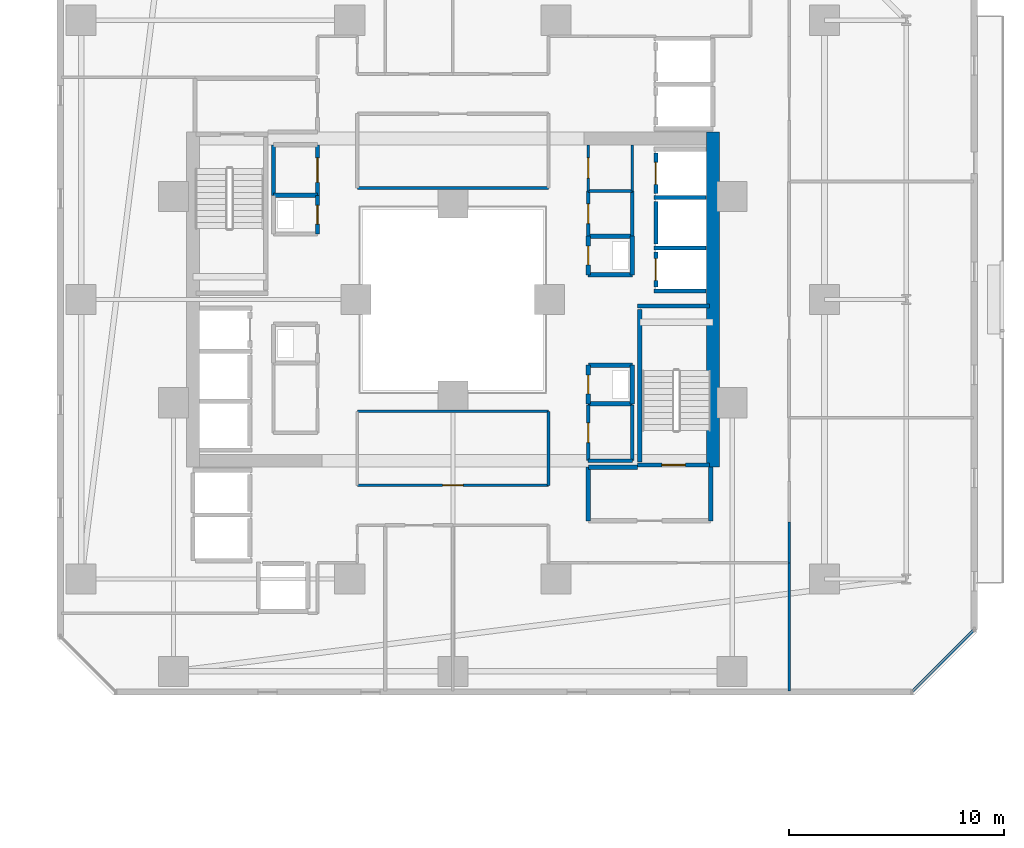
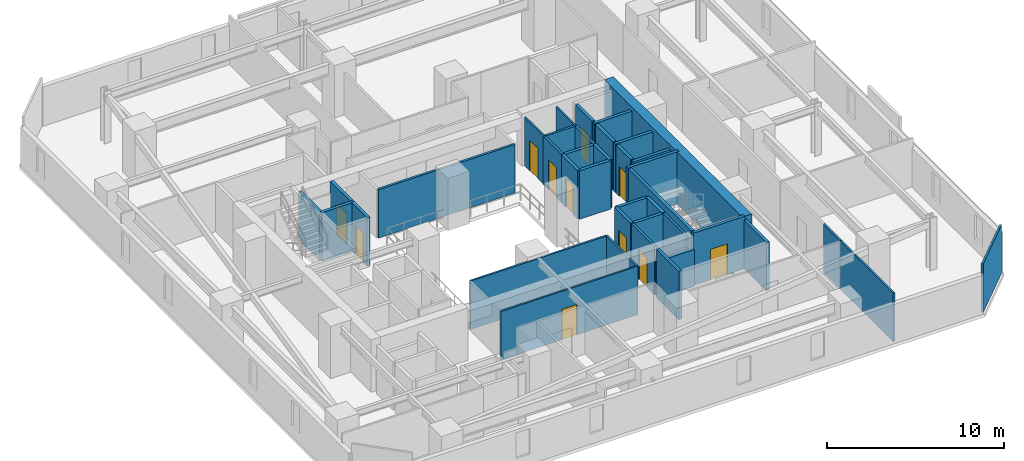
# One storey, part 26 of 35: 40 walls, 11 doors, 11 openings.
"""IFC4 building model written with IfcOpenShell, lengths in metres."""

from ifc_helpers import new_model, si_unit, direction, frame, frame_2d, origin, place, context, subcontext, project, spatial, rectangle, extrude, material, layer, layer_set, type_object, element, fill, save


model = new_model("IFC4")

# Units and contexts
model_context = context("Model", 3, precision=1e-05, world=origin(), true_north=direction((0.0, 1.0)))
body_context = subcontext(model_context, "Body", "Model", "MODEL_VIEW")
ifc_project = project(units=[si_unit("LENGTHUNIT", "METRE"), si_unit("AREAUNIT", "SQUARE_METRE"), si_unit("VOLUMEUNIT", "CUBIC_METRE"), si_unit("PLANEANGLEUNIT", "RADIAN"), si_unit("MASSUNIT", "GRAM", prefix="KILO")], contexts=[model_context])

# Site, building, storey
site_placement = place(None, origin())
site = spatial("IfcSite", under=ifc_project, at=site_placement, CompositionType="ELEMENT")
building_placement = place(site_placement, origin())
building = spatial("IfcBuilding", under=site, at=building_placement, Name="Thornwick Lancets Civic Towers", CompositionType="ELEMENT")
storey_placement = place(building_placement, frame((0.0, 0.0, 64.5)))
storey = spatial("IfcBuildingStorey", under=building, at=storey_placement, Name="L16", CompositionType="ELEMENT", Elevation=64.5)

# Wall, opening, door
ifc_material_1 = material(Name="Concrete blockwork C40/50", Category="masonry")
ifc_layer_1 = layer(ifc_material_1, 0.199951171875, Name="Concrete blockwork C40/50")
ifc_layer_set_1 = layer_set([ifc_layer_1], Name="Concrete blockwork C40/50")
wall_type_1 = type_object("IfcWallType", Name="WALL_COMP_200", PredefinedType="STANDARD", material=ifc_layer_set_1)
wall_1_placement = place(storey_placement, frame((97.949951171875, 29.219970703125, 0.0), z_axis=(0.0, 0.0, 1.0), x_axis=(0.0, -1.0, 0.0)))
wall_1 = element("IfcWall", 1, at=wall_1_placement, inside=storey, type_object=wall_type_1, Name="L16 Hoistway Front Wall FL-B1", PredefinedType="STANDARD", context=body_context, shape_type="SweptSolid", body=[
    extrude(rectangle(XDim=1.639892578125, YDim=0.199951171875, at=frame_2d((0.81982421875, 0.0))), origin(), (0.0, 0.0, 1.0), 3.340087890625),
])
opening_1_placement = place(wall_1_placement, frame((0.31005859375, 0.0, 0.0)))
opening_1 = element("IfcOpeningElement", 2, at=opening_1_placement, cuts=wall_1, Name="Opening LD-FL-B1", PredefinedType="OPENING", context=body_context, shape_type="SweptSolid", body=[
    extrude(rectangle(XDim=1.02001953125, YDim=2.06005859375, at=frame_2d((0.510009765625, 1.030029296875))), frame((0.0, 0.10986328125, 0.0), z_axis=(0.0, -1.0, 0.0), x_axis=(1.0, 0.0, 0.0)), (0.0, 0.0, 1.0), 0.219970703125),
])
ifc_material_2 = material(Name="Brushed bronze stainless steel", Category="steel")
door_type_1 = type_object("IfcDoorType", Name="DOOR_LIFT_SLIDE", OperationType="SLIDING_TO_LEFT", PredefinedType="DOOR", material=ifc_material_2)
door_1_placement = place(opening_1_placement, origin())
door_1 = element("IfcDoor", 3, at=door_1_placement, inside=storey, type_object=door_type_1, Name="L16 Sliding Lift Landing Door LD-FL-B1", OperationType="SLIDING_TO_LEFT", OverallHeight=2.06005859375, OverallWidth=1.02001953125, PredefinedType="DOOR", context=body_context, shape_type="SweptSolid", body=[
    extrude(rectangle(XDim=1.02001953125, YDim=2.06005859375, at=frame_2d((0.510009765625, 1.030029296875))), frame((0.0, 0.02490234375, 0.0), z_axis=(0.0, -1.0, 0.0), x_axis=(1.0, 0.0, 0.0)), (0.0, 0.0, 1.0), 0.050048828125),
])
fill(opening_1, door_1)

# Wall
wall_2_placement = place(storey_placement, frame((97.949951171875, 31.570068359375, 0.0), z_axis=(0.0, 0.0, 1.0), x_axis=(0.0, -1.0, 0.0)))
element("IfcWall", 4, at=wall_2_placement, inside=storey, type_object=wall_type_1, Name="L16 Hoistway Front Wall PL-BH1", PredefinedType="STANDARD", context=body_context, shape_type="SweptSolid", body=[
    extrude(rectangle(XDim=1.989990234375, YDim=0.199951171875, at=frame_2d((0.9951171875, 0.0))), origin(), (0.0, 0.0, 1.0), 3.340087890625),
])

# Wall, opening, door
wall_3_placement = place(storey_placement, frame((97.949951171875, 33.820068359375, 0.0), z_axis=(0.0, 0.0, 1.0), x_axis=(0.0, -1.0, 0.0)))
wall_3 = element("IfcWall", 5, at=wall_3_placement, inside=storey, type_object=wall_type_1, Name="L16 Hoistway Front Wall PL-BL1", PredefinedType="STANDARD", context=body_context, shape_type="SweptSolid", body=[
    extrude(rectangle(XDim=1.89013671875, YDim=0.199951171875, at=frame_2d((0.945068359375, 0.0))), origin(), (0.0, 0.0, 1.0), 3.340087890625),
])
opening_2_placement = place(wall_3_placement, frame((0.43505859375, 0.0, 0.0)))
opening_2 = element("IfcOpeningElement", 6, at=opening_2_placement, cuts=wall_3, Name="Opening LD-PL-BL1", PredefinedType="OPENING", context=body_context, shape_type="SweptSolid", body=[
    extrude(rectangle(XDim=1.02001953125, YDim=2.06005859375, at=frame_2d((0.510009765625, 1.030029296875))), frame((0.0, 0.10986328125, 0.0), z_axis=(0.0, -1.0, 0.0), x_axis=(1.0, 0.0, 0.0)), (0.0, 0.0, 1.0), 0.219970703125),
])
door_2_placement = place(opening_2_placement, origin())
door_2 = element("IfcDoor", 7, at=door_2_placement, inside=storey, type_object=door_type_1, Name="L16 Sliding Lift Landing Door LD-PL-BL1", OperationType="SLIDING_TO_LEFT", OverallHeight=2.06005859375, OverallWidth=1.02001953125, PredefinedType="DOOR", context=body_context, shape_type="SweptSolid", body=[
    extrude(rectangle(XDim=1.02001953125, YDim=2.06005859375, at=frame_2d((0.510009765625, 1.030029296875))), frame((0.0, 0.02490234375, 0.0), z_axis=(0.0, -1.0, 0.0), x_axis=(1.0, 0.0, 0.0)), (0.0, 0.0, 1.0), 0.050048828125),
])
fill(opening_2, door_2)

# Walls
for number, where, z_axis, x_axis, name in (
    (8, (97.85205078125, 29.39990234375, 0.0), (0.0, 0.0, 1.0), (1.0, 0.0, 0.0), "L16 Hoistway Shaft Wall FL-B1 N"),
    (9, (97.85205078125, 27.39990234375, 0.0), (0.0, 0.0, 1.0), (1.0, 0.0, 0.0), "L16 Hoistway Shaft Wall FL-B1 S"),
    (10, (97.85205078125, 31.75, 0.0), (0.0, 0.0, 1.0), (1.0, 0.0, 0.0), "L16 Hoistway Shaft Wall PL-BH1 N"),
):
    element("IfcWall", number, at=place(storey_placement, frame(where, z_axis=z_axis, x_axis=x_axis)), inside=storey, type_object=wall_type_1, Name=name, PredefinedType="STANDARD", context=body_context, shape_type="SweptSolid", body=[
        extrude(rectangle(XDim=2.43603515625, YDim=0.199951171875, at=frame_2d((1.218017578125, 0.0))), origin(), (0.0, 0.0, 1.0), 3.340087890625),
    ])
wall_4_placement = place(storey_placement, frame((100.5, 16.699951171875, 0.0), z_axis=(0.0, 0.0, 1.0), x_axis=(0.0, 1.0, 0.0)))
element("IfcWall", 11, at=wall_4_placement, inside=storey, type_object=wall_type_1, Name="L16 Partition L16-B-FFLOB1 E2", PredefinedType="STANDARD", context=body_context, shape_type="SweptSolid", body=[
    extrude(rectangle(XDim=2.5, YDim=0.199951171875, at=frame_2d((1.25, 0.0))), origin(), (0.0, 0.0, 1.0), 3.340087890625),
])
wall_5_placement = place(storey_placement, frame((97.10009765625, 19.199951171875, 0.0), z_axis=(0.0, 0.0, 1.0), x_axis=(-1.0, 0.0, 0.0)))
element("IfcWall", 12, at=wall_5_placement, inside=storey, type_object=wall_type_1, Name="L16 Partition L16-B-FFLOB1 E3", PredefinedType="STANDARD", context=body_context, shape_type="SweptSolid", body=[
    extrude(rectangle(XDim=2.300048828125, YDim=0.199951171875, at=frame_2d((1.14990234375, 0.0))), origin(), (0.0, 0.0, 1.0), 2.544921875),
])
wall_6_placement = place(storey_placement, frame((94.800048828125, 19.199951171875, 0.0), z_axis=(0.0, 0.0, 1.0), x_axis=(0.0, -1.0, 0.0)))
element("IfcWall", 13, at=wall_6_placement, inside=storey, type_object=wall_type_1, Name="L16 Partition L16-B-FFLOB1 E4", PredefinedType="STANDARD", context=body_context, shape_type="SweptSolid", body=[
    extrude(rectangle(XDim=2.5, YDim=0.199951171875, at=frame_2d((1.25, 0.0))), origin(), (0.0, 0.0, 1.0), 3.340087890625),
])
wall_7_placement = place(storey_placement, frame((94.800048828125, 28.14990234375, 0.0), z_axis=(0.0, 0.0, 1.0), x_axis=(1.0, 0.0, 0.0)))
element("IfcWall", 14, at=wall_7_placement, inside=storey, type_object=wall_type_1, Name="L16 Partition L16-B-DUCT1 E1", PredefinedType="STANDARD", context=body_context, shape_type="SweptSolid", body=[
    extrude(rectangle(XDim=2.050048828125, YDim=0.199951171875, at=frame_2d((1.02490234375, 0.0))), origin(), (0.0, 0.0, 1.0), 3.340087890625),
])
wall_8_placement = place(storey_placement, frame((96.85009765625, 28.14990234375, 0.0), z_axis=(0.0, 0.0, 1.0), x_axis=(0.0, 1.0, 0.0)))
element("IfcWall", 15, at=wall_8_placement, inside=storey, type_object=wall_type_1, Name="L16 Partition L16-B-DUCT1 E2", PredefinedType="STANDARD", context=body_context, shape_type="SweptSolid", body=[
    extrude(rectangle(XDim=1.800048828125, YDim=0.199951171875, at=frame_2d((0.89990234375, 0.0))), origin(), (0.0, 0.0, 1.0), 3.340087890625),
])
wall_9_placement = place(storey_placement, frame((96.85009765625, 29.949951171875, 0.0), z_axis=(0.0, 0.0, 1.0), x_axis=(-1.0, 0.0, 0.0)))
element("IfcWall", 16, at=wall_9_placement, inside=storey, type_object=wall_type_1, Name="L16 Partition L16-B-DUCT1 E3", PredefinedType="STANDARD", context=body_context, shape_type="SweptSolid", body=[
    extrude(rectangle(XDim=2.050048828125, YDim=0.199951171875, at=frame_2d((1.02490234375, 0.0))), origin(), (0.0, 0.0, 1.0), 3.340087890625),
])

# Wall, opening, door
wall_10_placement = place(storey_placement, frame((94.800048828125, 29.949951171875, 0.0), z_axis=(0.0, 0.0, 1.0), x_axis=(0.0, -1.0, 0.0)))
wall_10 = element("IfcWall", 17, at=wall_10_placement, inside=storey, type_object=wall_type_1, Name="L16 Partition L16-B-DUCT1 E4", PredefinedType="STANDARD", context=body_context, shape_type="SweptSolid", body=[
    extrude(rectangle(XDim=1.800048828125, YDim=0.199951171875, at=frame_2d((0.89990234375, 0.0))), origin(), (0.0, 0.0, 1.0), 3.340087890625),
])
opening_3_placement = place(wall_10_placement, frame((0.4599609375, 0.0, 0.0)))
opening_3 = element("IfcOpeningElement", 18, at=opening_3_placement, cuts=wall_10, Name="Opening D-L16-0766", PredefinedType="OPENING", context=body_context, shape_type="SweptSolid", body=[
    extrude(rectangle(XDim=0.8798828125, YDim=2.0400390625, at=frame_2d((0.43994140625, 1.02001953125))), frame((0.0, 0.10986328125, 0.0), z_axis=(0.0, -1.0, 0.0), x_axis=(1.0, 0.0, 0.0)), (0.0, 0.0, 1.0), 0.219970703125),
])
ifc_material_3 = material(Name="Steel riser access doorset", Category="steel")
door_type_2 = type_object("IfcDoorType", Name="DOOR_RISER_850", OperationType="NOTDEFINED", PredefinedType="DOOR", material=ifc_material_3)
door_3_placement = place(opening_3_placement, origin())
door_3 = element("IfcDoor", 19, at=door_3_placement, inside=storey, type_object=door_type_2, Name="L16 East Service Duct 1 Door", OperationType="SINGLE_SWING_LEFT", OverallHeight=2.0400390625, OverallWidth=0.8798828125, PredefinedType="DOOR", context=body_context, shape_type="SweptSolid", body=[
    extrude(rectangle(XDim=0.8798828125, YDim=2.0400390625, at=frame_2d((0.43994140625, 1.02001953125))), frame((0.0, 0.02490234375, 0.0), z_axis=(0.0, -1.0, 0.0), x_axis=(1.0, 0.0, 0.0)), (0.0, 0.0, 1.0), 0.050048828125),
])
fill(opening_3, door_3)

# Walls
wall_11_placement = place(storey_placement, frame((94.800048828125, 22.14990234375, 0.0), z_axis=(0.0, 0.0, 1.0), x_axis=(1.0, 0.0, 0.0)))
element("IfcWall", 20, at=wall_11_placement, inside=storey, type_object=wall_type_1, Name="L16 Partition L16-B-RISER1 E1", PredefinedType="STANDARD", context=body_context, shape_type="SweptSolid", body=[
    extrude(rectangle(XDim=2.050048828125, YDim=0.199951171875, at=frame_2d((1.02490234375, 0.0))), origin(), (0.0, 0.0, 1.0), 3.340087890625),
])
wall_12_placement = place(storey_placement, frame((96.85009765625, 22.14990234375, 0.0), z_axis=(0.0, 0.0, 1.0), x_axis=(0.0, 1.0, 0.0)))
element("IfcWall", 21, at=wall_12_placement, inside=storey, type_object=wall_type_1, Name="L16 Partition L16-B-RISER1 E2", PredefinedType="STANDARD", context=body_context, shape_type="SweptSolid", body=[
    extrude(rectangle(XDim=1.800048828125, YDim=0.199951171875, at=frame_2d((0.89990234375, 0.0))), origin(), (0.0, 0.0, 1.0), 3.340087890625),
])
wall_13_placement = place(storey_placement, frame((96.85009765625, 23.949951171875, 0.0), z_axis=(0.0, 0.0, 1.0), x_axis=(-1.0, 0.0, 0.0)))
element("IfcWall", 22, at=wall_13_placement, inside=storey, type_object=wall_type_1, Name="L16 Partition L16-B-RISER1 E3", PredefinedType="STANDARD", context=body_context, shape_type="SweptSolid", body=[
    extrude(rectangle(XDim=2.050048828125, YDim=0.199951171875, at=frame_2d((1.02490234375, 0.0))), origin(), (0.0, 0.0, 1.0), 3.340087890625),
])

# Wall, opening, door
wall_14_placement = place(storey_placement, frame((94.800048828125, 23.949951171875, 0.0), z_axis=(0.0, 0.0, 1.0), x_axis=(0.0, -1.0, 0.0)))
wall_14 = element("IfcWall", 23, at=wall_14_placement, inside=storey, type_object=wall_type_1, Name="L16 Partition L16-B-RISER1 E4", PredefinedType="STANDARD", context=body_context, shape_type="SweptSolid", body=[
    extrude(rectangle(XDim=1.800048828125, YDim=0.199951171875, at=frame_2d((0.89990234375, 0.0))), origin(), (0.0, 0.0, 1.0), 3.340087890625),
])
opening_4_placement = place(wall_14_placement, frame((0.4599609375, 0.0, 0.0)))
opening_4 = element("IfcOpeningElement", 24, at=opening_4_placement, cuts=wall_14, Name="Opening D-L16-0767", PredefinedType="OPENING", context=body_context, shape_type="SweptSolid", body=[
    extrude(rectangle(XDim=0.8798828125, YDim=2.0400390625, at=frame_2d((0.43994140625, 1.02001953125))), frame((0.0, 0.10986328125, 0.0), z_axis=(0.0, -1.0, 0.0), x_axis=(1.0, 0.0, 0.0)), (0.0, 0.0, 1.0), 0.219970703125),
])
door_4_placement = place(opening_4_placement, origin())
door_4 = element("IfcDoor", 25, at=door_4_placement, inside=storey, type_object=door_type_2, Name="L16 East Electrical Riser 1 Door", OperationType="SINGLE_SWING_RIGHT", OverallHeight=2.0400390625, OverallWidth=0.8798828125, PredefinedType="DOOR", context=body_context, shape_type="SweptSolid", body=[
    extrude(rectangle(XDim=0.8798828125, YDim=2.0400390625, at=frame_2d((0.43994140625, 1.02001953125))), frame((0.0, 0.02490234375, 0.0), z_axis=(0.0, -1.0, 0.0), x_axis=(1.0, 0.0, 0.0)), (0.0, 0.0, 1.0), 0.050048828125),
])
fill(opening_4, door_4)

wall_15_placement = place(storey_placement, frame((82.199951171875, 30.050048828125, 0.0), z_axis=(0.0, 0.0, 1.0), x_axis=(0.0, 1.0, 0.0)))
wall_15 = element("IfcWall", 26, at=wall_15_placement, inside=storey, type_object=wall_type_1, Name="L16 Partition L16-B-RISER2 E2", PredefinedType="STANDARD", context=body_context, shape_type="SweptSolid", body=[
    extrude(rectangle(XDim=1.800048828125, YDim=0.199951171875, at=frame_2d((0.89990234375, 0.0))), origin(), (0.0, 0.0, 1.0), 3.340087890625),
])
opening_5_placement = place(wall_15_placement, frame((0.4599609375, 0.0, 0.0)))
opening_5 = element("IfcOpeningElement", 27, at=opening_5_placement, cuts=wall_15, Name="Opening D-L16-0769", PredefinedType="OPENING", context=body_context, shape_type="SweptSolid", body=[
    extrude(rectangle(XDim=0.8798828125, YDim=2.0400390625, at=frame_2d((0.43994140625, 1.02001953125))), frame((0.0, 0.10986328125, 0.0), z_axis=(0.0, -1.0, 0.0), x_axis=(1.0, 0.0, 0.0)), (0.0, 0.0, 1.0), 0.219970703125),
])
door_5_placement = place(opening_5_placement, origin())
door_5 = element("IfcDoor", 28, at=door_5_placement, inside=storey, type_object=door_type_2, Name="L16 West Service Riser 2 Door", OperationType="SINGLE_SWING_RIGHT", OverallHeight=2.0400390625, OverallWidth=0.8798828125, PredefinedType="DOOR", context=body_context, shape_type="SweptSolid", body=[
    extrude(rectangle(XDim=0.8798828125, YDim=2.0400390625, at=frame_2d((0.43994140625, 1.02001953125))), frame((0.0, 0.02490234375, 0.0), z_axis=(0.0, -1.0, 0.0), x_axis=(1.0, 0.0, 0.0)), (0.0, 0.0, 1.0), 0.050048828125),
])
fill(opening_5, door_5)

# Walls
wall_16_placement = place(storey_placement, frame((82.199951171875, 31.85009765625, 0.0), z_axis=(0.0, 0.0, 1.0), x_axis=(-1.0, 0.0, 0.0)))
element("IfcWall", 29, at=wall_16_placement, inside=storey, type_object=wall_type_1, Name="L16 Partition L16-B-RISER2 E3", PredefinedType="STANDARD", context=body_context, shape_type="SweptSolid", body=[
    extrude(rectangle(XDim=2.050048828125, YDim=0.199951171875, at=frame_2d((1.02490234375, 0.0))), origin(), (0.0, 0.0, 1.0), 3.340087890625),
])
wall_17_placement = place(storey_placement, frame((80.14990234375, 31.85009765625, 0.0), z_axis=(0.0, 0.0, 1.0), x_axis=(0.0, 1.0, 0.0)))
element("IfcWall", 30, at=wall_17_placement, inside=storey, type_object=wall_type_1, Name="L16 Partition L16-B-STR E1", PredefinedType="STANDARD", context=body_context, shape_type="SweptSolid", body=[
    extrude(rectangle(XDim=2.349853515625, YDim=0.199951171875, at=frame_2d((1.1748046875, 0.0))), origin(), (0.0, 0.0, 1.0), 3.340087890625),
])

# Wall, opening, door
wall_18_placement = place(storey_placement, frame((82.199951171875, 34.199951171875, 0.0), z_axis=(0.0, 0.0, 1.0), x_axis=(0.0, -1.0, 0.0)))
wall_18 = element("IfcWall", 31, at=wall_18_placement, inside=storey, type_object=wall_type_1, Name="L16 Partition L16-B-STR E3", PredefinedType="STANDARD", context=body_context, shape_type="SweptSolid", body=[
    extrude(rectangle(XDim=2.349853515625, YDim=0.199951171875, at=frame_2d((1.1748046875, 0.0))), origin(), (0.0, 0.0, 1.0), 3.340087890625),
])
opening_6_placement = place(wall_18_placement, frame((0.60009765625, 0.0, 0.0)))
opening_6 = element("IfcOpeningElement", 32, at=opening_6_placement, cuts=wall_18, Name="Opening D-L16-0774", PredefinedType="OPENING", context=body_context, shape_type="SweptSolid", body=[
    extrude(rectangle(XDim=1.14990234375, YDim=2.10009765625, at=frame_2d((0.574951171875, 1.050048828125))), frame((0.0, 0.10986328125, 0.0), z_axis=(0.0, -1.0, 0.0), x_axis=(1.0, 0.0, 0.0)), (0.0, 0.0, 1.0), 0.219970703125),
])
ifc_material_4 = material(Name="Glazed fire-resisting steel", Category="steel")
door_type_3 = type_object("IfcDoorType", Name="DOOR_LOBBY_FD60", OperationType="NOTDEFINED", PredefinedType="DOOR", material=ifc_material_4)
door_6_placement = place(opening_6_placement, origin())
door_6 = element("IfcDoor", 33, at=door_6_placement, inside=storey, type_object=door_type_3, Name="L16 Tower B Core Equipment Store Door", OperationType="SINGLE_SWING_LEFT", OverallHeight=2.10009765625, OverallWidth=1.14990234375, PredefinedType="DOOR", context=body_context, shape_type="SweptSolid", body=[
    extrude(rectangle(XDim=1.14990234375, YDim=2.10009765625, at=frame_2d((0.574951171875, 1.050048828125))), frame((0.0, 0.02490234375, 0.0), z_axis=(0.0, -1.0, 0.0), x_axis=(1.0, 0.0, 0.0)), (0.0, 0.0, 1.0), 0.050048828125),
])
fill(opening_6, door_6)

# Wall
ifc_material_5 = material(Name="Concrete C60/75", Category="concrete")
ifc_layer_2 = layer(ifc_material_5, 0.60009765625, Name="Concrete C60/75")
ifc_layer_set_2 = layer_set([ifc_layer_2], Name="Concrete C60/75")
wall_type_2 = type_object("IfcWallType", Name="WALL_CORE_600", PredefinedType="SHEAR", material=ifc_layer_set_2)
wall_19_placement = place(storey_placement, frame((100.60009765625, 19.199951171875, 0.0), z_axis=(0.0, 0.0, 1.0), x_axis=(0.0, 1.0, 0.0)))
element("IfcWall", 34, at=wall_19_placement, inside=storey, type_object=wall_type_2, Name="L16 Split Core B1 Shear Wall E", PredefinedType="SHEAR", context=body_context, shape_type="SweptSolid", body=[
    extrude(rectangle(XDim=15.60009765625, YDim=0.60009765625, at=frame_2d((7.800048828125, 0.0))), origin(), (0.0, 0.0, 1.0), 3.60009765625),
])

# Wall, opening, door
ifc_material_6 = material(Name="Lightweight cellular office partition")
ifc_layer_3 = layer(ifc_material_6, 0.10009765625, Name="Lightweight cellular office partition")
ifc_layer_set_3 = layer_set([ifc_layer_3], Name="Lightweight cellular office partition")
wall_type_3 = type_object("IfcWallType", Name="WALL_PART_100", PredefinedType="PARTITIONING", material=ifc_layer_set_3)
wall_20_placement = place(storey_placement, frame((94.800048828125, 32.050048828125, 0.0), z_axis=(0.0, 0.0, 1.0), x_axis=(0.0, 1.0, 0.0)))
wall_20 = element("IfcWall", 35, at=wall_20_placement, inside=storey, type_object=wall_type_3, Name="L16 Partition L16-B-CLN E1", PredefinedType="PARTITIONING", context=body_context, shape_type="SweptSolid", body=[
    extrude(rectangle(XDim=2.14990234375, YDim=0.10009765625, at=frame_2d((1.074951171875, 0.0))), origin(), (0.0, 0.0, 1.0), 3.340087890625),
])
opening_7_placement = place(wall_20_placement, frame((0.60009765625, 0.0, 0.0)))
opening_7 = element("IfcOpeningElement", 36, at=opening_7_placement, cuts=wall_20, Name="Opening D-L16-0772", PredefinedType="OPENING", context=body_context, shape_type="SweptSolid", body=[
    extrude(rectangle(XDim=0.949951171875, YDim=2.10009765625, at=frame_2d((0.47509765625, 1.050048828125))), frame((0.0, 0.06005859375, 0.0), z_axis=(0.0, -1.0, 0.0), x_axis=(1.0, 0.0, 0.0)), (0.0, 0.0, 1.0), 0.1201171875),
])
ifc_material_7 = material(Name="European oak acoustic doorset")
door_type_4 = type_object("IfcDoorType", Name="DOOR_OFFICE_950", OperationType="NOTDEFINED", PredefinedType="DOOR", material=ifc_material_7)
door_7_placement = place(opening_7_placement, origin())
door_7 = element("IfcDoor", 37, at=door_7_placement, inside=storey, type_object=door_type_4, Name="L16 Tower B Cleaners Store Door", OperationType="SINGLE_SWING_LEFT", OverallHeight=2.10009765625, OverallWidth=0.949951171875, PredefinedType="DOOR", context=body_context, shape_type="SweptSolid", body=[
    extrude(rectangle(XDim=0.949951171875, YDim=2.10009765625, at=frame_2d((0.47509765625, 1.050048828125))), frame((0.0, 0.02490234375, 0.0), z_axis=(0.0, -1.0, 0.0), x_axis=(1.0, 0.0, 0.0)), (0.0, 0.0, 1.0), 0.050048828125),
])
fill(opening_7, door_7)

# Walls
wall_21_placement = place(storey_placement, frame((96.85009765625, 34.199951171875, 0.0), z_axis=(0.0, 0.0, 1.0), x_axis=(0.0, -1.0, 0.0)))
element("IfcWall", 38, at=wall_21_placement, inside=storey, type_object=wall_type_3, Name="L16 Partition L16-B-CLN E3", PredefinedType="PARTITIONING", context=body_context, shape_type="SweptSolid", body=[
    extrude(rectangle(XDim=2.14990234375, YDim=0.10009765625, at=frame_2d((1.074951171875, 0.0))), origin(), (0.0, 0.0, 1.0), 3.340087890625),
])
ifc_material_8 = material(Name="Acoustic gypsum board partition")
ifc_layer_4 = layer(ifc_material_8, 0.1201171875, Name="Acoustic gypsum board partition")
ifc_layer_set_4 = layer_set([ifc_layer_4], Name="Acoustic gypsum board partition")
wall_type_4 = type_object("IfcWallType", Name="WALL_PART_120", PredefinedType="PARTITIONING", material=ifc_layer_set_4)
wall_22_placement = place(storey_placement, frame((104.14990234375, 14.75, 0.0), z_axis=(0.0, 0.0, 1.0), x_axis=(0.0, -1.0, 0.0)))
element("IfcWall", 39, at=wall_22_placement, inside=storey, type_object=wall_type_4, Name="L16 Partition L16-B-W1 E4", PredefinedType="PARTITIONING", context=body_context, shape_type="SweptSolid", body=[
    extrude(rectangle(XDim=5.969970703125, YDim=0.1201171875, at=frame_2d((2.98486328125, 0.0))), origin(), (0.0, 0.0, 1.0), 3.340087890625),
])
wall_23_placement = place(storey_placement, frame((84.050048828125, 21.800048828125, 0.0), z_axis=(0.0, 0.0, 1.0), x_axis=(1.0, 0.0, 0.0)))
element("IfcWall", 40, at=wall_23_placement, inside=storey, type_object=wall_type_4, Name="L16 Partition L16-B-ATR-W E2", PredefinedType="PARTITIONING", context=body_context, shape_type="SweptSolid", body=[
    extrude(rectangle(XDim=8.89990234375, YDim=0.1201171875, at=frame_2d((4.449951171875, 0.0))), origin(), (0.0, 0.0, 1.0), 3.340087890625),
])
wall_24_placement = place(storey_placement, frame((92.949951171875, 21.800048828125, 0.0), z_axis=(0.0, 0.0, 1.0), x_axis=(0.0, -1.0, 0.0)))
element("IfcWall", 41, at=wall_24_placement, inside=storey, type_object=wall_type_4, Name="L16 Partition L16-B-ATR-W E3", PredefinedType="PARTITIONING", context=body_context, shape_type="SweptSolid", body=[
    extrude(rectangle(XDim=3.449951171875, YDim=0.1201171875, at=frame_2d((1.72509765625, 0.0))), origin(), (0.0, 0.0, 1.0), 3.340087890625),
])

# Wall, opening, door
wall_25_placement = place(storey_placement, frame((92.949951171875, 18.35009765625, 0.0), z_axis=(0.0, 0.0, 1.0), x_axis=(-1.0, 0.0, 0.0)))
wall_25 = element("IfcWall", 42, at=wall_25_placement, inside=storey, type_object=wall_type_4, Name="L16 Partition L16-B-ATR-W E4", PredefinedType="PARTITIONING", context=body_context, shape_type="SweptSolid", body=[
    extrude(rectangle(XDim=8.89990234375, YDim=0.1201171875, at=frame_2d((4.449951171875, 0.0))), origin(), (0.0, 0.0, 1.0), 3.340087890625),
])
opening_8_placement = place(wall_25_placement, frame((3.97509765625, 0.0, 0.0)))
opening_8 = element("IfcOpeningElement", 43, at=opening_8_placement, cuts=wall_25, Name="Opening D-L16-0793", PredefinedType="OPENING", context=body_context, shape_type="SweptSolid", body=[
    extrude(rectangle(XDim=0.949951171875, YDim=2.10009765625, at=frame_2d((0.47509765625, 1.050048828125))), frame((0.0, 0.070068359375, 0.0), z_axis=(0.0, -1.0, 0.0), x_axis=(1.0, 0.0, 0.0)), (0.0, 0.0, 1.0), 0.14013671875),
])
door_8_placement = place(opening_8_placement, origin())
door_8 = element("IfcDoor", 44, at=door_8_placement, inside=storey, type_object=door_type_4, Name="L16 Tower B West Atrium Study Lounge Door", OperationType="SINGLE_SWING_RIGHT", OverallHeight=2.10009765625, OverallWidth=0.949951171875, PredefinedType="DOOR", context=body_context, shape_type="SweptSolid", body=[
    extrude(rectangle(XDim=0.949951171875, YDim=2.10009765625, at=frame_2d((0.47509765625, 1.050048828125))), frame((0.0, 0.02490234375, 0.0), z_axis=(0.0, -1.0, 0.0), x_axis=(1.0, 0.0, 0.0)), (0.0, 0.0, 1.0), 0.050048828125),
])
fill(opening_8, door_8)

# Walls
wall_26_placement = place(storey_placement, frame((104.14990234375, 14.75, 0.0), z_axis=(0.0, 0.0, 1.0), x_axis=(0.0, 1.0, 0.0)))
element("IfcWall", 45, at=wall_26_placement, inside=storey, type_object=wall_type_4, Name="L16 Partition L16-B-S-OFF1 E3", PredefinedType="PARTITIONING", context=body_context, shape_type="SweptSolid", body=[
    extrude(rectangle(XDim=1.89990234375, YDim=0.1201171875, at=frame_2d((0.949951171875, 0.0))), origin(), (0.0, 0.0, 1.0), 3.340087890625),
])
wall_27_placement = place(storey_placement, frame((112.719970703125, 11.6015625, 0.0), z_axis=(0.0, 0.0, 1.0), x_axis=(-0.707106781187, -0.707106781187, 0.0)))
element("IfcWall", 46, at=wall_27_placement, inside=storey, type_object=wall_type_4, Name="L16 Partition L16-B-S-OFF1 E7", PredefinedType="PARTITIONING", context=body_context, shape_type="SweptSolid", body=[
    extrude(rectangle(XDim=3.990234375, YDim=0.1201171875, at=frame_2d((1.9951171875, 0.0))), origin(), (0.0, 0.0, 1.0), 3.340087890625),
])
ifc_material_9 = material(Name="Twin-stud acoustic gypsum board")
ifc_layer_5 = layer(ifc_material_9, 0.14990234375, Name="Twin-stud acoustic gypsum board")
ifc_layer_set_5 = layer_set([ifc_layer_5], Name="Twin-stud acoustic gypsum board")
wall_type_5 = type_object("IfcWallType", Name="WALL_PART_150", PredefinedType="PARTITIONING", material=ifc_layer_set_5)
wall_28_placement = place(storey_placement, frame((94.800048828125, 19.5, 0.0), z_axis=(0.0, 0.0, 1.0), x_axis=(1.0, 0.0, 0.0)))
element("IfcWall", 47, at=wall_28_placement, inside=storey, type_object=wall_type_5, Name="L16 Partition L16-B-AWC E1", PredefinedType="PARTITIONING", context=body_context, shape_type="SweptSolid", body=[
    extrude(rectangle(XDim=2.050048828125, YDim=0.14990234375, at=frame_2d((1.02490234375, 0.0))), origin(), (0.0, 0.0, 1.0), 2.544921875),
])
wall_29_placement = place(storey_placement, frame((96.85009765625, 19.5, 0.0), z_axis=(0.0, 0.0, 1.0), x_axis=(0.0, 1.0, 0.0)))
element("IfcWall", 48, at=wall_29_placement, inside=storey, type_object=wall_type_5, Name="L16 Partition L16-B-AWC E2", PredefinedType="PARTITIONING", context=body_context, shape_type="SweptSolid", body=[
    extrude(rectangle(XDim=2.60009765625, YDim=0.14990234375, at=frame_2d((1.300048828125, 0.0))), origin(), (0.0, 0.0, 1.0), 3.340087890625),
])

# Wall, opening, door
wall_30_placement = place(storey_placement, frame((94.800048828125, 22.10009765625, 0.0), z_axis=(0.0, 0.0, 1.0), x_axis=(0.0, -1.0, 0.0)))
wall_30 = element("IfcWall", 49, at=wall_30_placement, inside=storey, type_object=wall_type_5, Name="L16 Partition L16-B-AWC E4", PredefinedType="PARTITIONING", context=body_context, shape_type="SweptSolid", body=[
    extrude(rectangle(XDim=2.60009765625, YDim=0.14990234375, at=frame_2d((1.300048828125, 0.0))), origin(), (0.0, 0.0, 1.0), 3.340087890625),
])
opening_9_placement = place(wall_30_placement, frame((0.840087890625, 0.0, 0.0)))
opening_9 = element("IfcOpeningElement", 50, at=opening_9_placement, cuts=wall_30, Name="Opening D-L16-0770", PredefinedType="OPENING", context=body_context, shape_type="SweptSolid", body=[
    extrude(rectangle(XDim=0.919921875, YDim=2.080078125, at=frame_2d((0.4599609375, 1.0400390625))), frame((0.0, 0.0849609375, 0.0), z_axis=(0.0, -1.0, 0.0), x_axis=(1.0, 0.0, 0.0)), (0.0, 0.0, 1.0), 0.169921875),
])
ifc_material_10 = material(Name="Moisture-resistant oak doorset")
door_type_5 = type_object("IfcDoorType", Name="DOOR_WC_900", OperationType="NOTDEFINED", PredefinedType="DOOR", material=ifc_material_10)
door_9_placement = place(opening_9_placement, origin())
door_9 = element("IfcDoor", 51, at=door_9_placement, inside=storey, type_object=door_type_5, Name="L16 Tower B Accessible WC Door", OperationType="SINGLE_SWING_LEFT", OverallHeight=2.080078125, OverallWidth=0.919921875, PredefinedType="DOOR", context=body_context, shape_type="SweptSolid", body=[
    extrude(rectangle(XDim=0.919921875, YDim=2.080078125, at=frame_2d((0.4599609375, 1.0400390625))), frame((0.0, 0.02490234375, 0.0), z_axis=(0.0, -1.0, 0.0), x_axis=(1.0, 0.0, 0.0)), (0.0, 0.0, 1.0), 0.050048828125),
])
fill(opening_9, door_9)

wall_31_placement = place(storey_placement, frame((94.800048828125, 29.949951171875, 0.0), z_axis=(0.0, 0.0, 1.0), x_axis=(0.0, 1.0, 0.0)))
wall_31 = element("IfcWall", 52, at=wall_31_placement, inside=storey, type_object=wall_type_5, Name="L16 Partition L16-B-MWC E1", PredefinedType="PARTITIONING", context=body_context, shape_type="SweptSolid", body=[
    extrude(rectangle(XDim=2.10009765625, YDim=0.14990234375, at=frame_2d((1.050048828125, 0.0))), origin(), (0.0, 0.0, 1.0), 3.340087890625),
])
opening_10_placement = place(wall_31_placement, frame((0.590087890625, 0.0, 0.0)))
opening_10 = element("IfcOpeningElement", 53, at=opening_10_placement, cuts=wall_31, Name="Opening D-L16-0771", PredefinedType="OPENING", context=body_context, shape_type="SweptSolid", body=[
    extrude(rectangle(XDim=0.919921875, YDim=2.080078125, at=frame_2d((0.4599609375, 1.0400390625))), frame((0.0, 0.0849609375, 0.0), z_axis=(0.0, -1.0, 0.0), x_axis=(1.0, 0.0, 0.0)), (0.0, 0.0, 1.0), 0.169921875),
])
door_10_placement = place(opening_10_placement, origin())
door_10 = element("IfcDoor", 54, at=door_10_placement, inside=storey, type_object=door_type_5, Name="L16 Tower B Male WC Door", OperationType="SINGLE_SWING_RIGHT", OverallHeight=2.080078125, OverallWidth=0.919921875, PredefinedType="DOOR", context=body_context, shape_type="SweptSolid", body=[
    extrude(rectangle(XDim=0.919921875, YDim=2.080078125, at=frame_2d((0.4599609375, 1.0400390625))), frame((0.0, 0.02490234375, 0.0), z_axis=(0.0, -1.0, 0.0), x_axis=(1.0, 0.0, 0.0)), (0.0, 0.0, 1.0), 0.050048828125),
])
fill(opening_10, door_10)

# Walls
wall_32_placement = place(storey_placement, frame((94.800048828125, 32.050048828125, 0.0), z_axis=(0.0, 0.0, 1.0), x_axis=(1.0, 0.0, 0.0)))
element("IfcWall", 55, at=wall_32_placement, inside=storey, type_object=wall_type_5, Name="L16 Partition L16-B-MWC E2", PredefinedType="PARTITIONING", context=body_context, shape_type="SweptSolid", body=[
    extrude(rectangle(XDim=2.050048828125, YDim=0.14990234375, at=frame_2d((1.02490234375, 0.0))), origin(), (0.0, 0.0, 1.0), 3.340087890625),
])
wall_33_placement = place(storey_placement, frame((96.85009765625, 32.050048828125, 0.0), z_axis=(0.0, 0.0, 1.0), x_axis=(0.0, -1.0, 0.0)))
element("IfcWall", 56, at=wall_33_placement, inside=storey, type_object=wall_type_5, Name="L16 Partition L16-B-MWC E3", PredefinedType="PARTITIONING", context=body_context, shape_type="SweptSolid", body=[
    extrude(rectangle(XDim=2.10009765625, YDim=0.14990234375, at=frame_2d((1.050048828125, 0.0))), origin(), (0.0, 0.0, 1.0), 3.340087890625),
])
wall_34_placement = place(storey_placement, frame((92.949951171875, 32.199951171875, 0.0), z_axis=(0.0, 0.0, 1.0), x_axis=(-1.0, 0.0, 0.0)))
element("IfcWall", 57, at=wall_34_placement, inside=storey, type_object=wall_type_5, Name="L16 Partition L16-B-ATR-E E4", PredefinedType="PARTITIONING", context=body_context, shape_type="SweptSolid", body=[
    extrude(rectangle(XDim=8.89990234375, YDim=0.14990234375, at=frame_2d((4.449951171875, 0.0))), origin(), (0.0, 0.0, 1.0), 3.340087890625),
])

# Wall, opening, door
ifc_material_11 = material(Name="Concrete C40/50", Category="concrete")
ifc_layer_6 = layer(ifc_material_11, 0.199951171875, Name="Concrete C40/50")
ifc_layer_set_6 = layer_set([ifc_layer_6], Name="Concrete C40/50")
wall_type_6 = type_object("IfcWallType", Name="WALL_SHAFT_200", PredefinedType="SHEAR", material=ifc_layer_set_6)
wall_35_placement = place(storey_placement, frame((100.449951171875, 19.300048828125, 0.0), z_axis=(0.0, 0.0, 1.0), x_axis=(-1.0, 0.0, 0.0)))
wall_35 = element("IfcWall", 58, at=wall_35_placement, inside=storey, type_object=wall_type_6, Name="L16 ST-B1 Fire Stair Core Wall NEAR", PredefinedType="SHEAR", context=body_context, shape_type="SweptSolid", body=[
    extrude(rectangle(XDim=3.349853515625, YDim=0.199951171875, at=frame_2d((1.6748046875, 0.0))), origin(), (0.0, 0.0, 1.0), 3.60009765625),
])
opening_11_placement = place(wall_35_placement, frame((1.125, 0.0, 0.0)))
opening_11 = element("IfcOpeningElement", 59, at=opening_11_placement, cuts=wall_35, Name="Opening D-ST-B1-L16", PredefinedType="OPENING", context=body_context, shape_type="SweptSolid", body=[
    extrude(rectangle(XDim=1.10009765625, YDim=2.10009765625, at=frame_2d((0.550048828125, 1.050048828125))), frame((0.0, 0.10986328125, 0.0), z_axis=(0.0, -1.0, 0.0), x_axis=(1.0, 0.0, 0.0)), (0.0, 0.0, 1.0), 0.219970703125),
])
ifc_material_12 = material(Name="Fire-resisting steel and hardwood", Category="steel")
door_type_6 = type_object("IfcDoorType", Name="DOOR_STAIR_FD60", OperationType="NOTDEFINED", PredefinedType="DOOR", material=ifc_material_12)
door_11_placement = place(opening_11_placement, origin())
door_11 = element("IfcDoor", 60, at=door_11_placement, inside=storey, type_object=door_type_6, Name="L16 ST-B1 Exit Stair Door", OperationType="SINGLE_SWING_RIGHT", OverallHeight=2.10009765625, OverallWidth=1.10009765625, PredefinedType="DOOR", context=body_context, shape_type="SweptSolid", body=[
    extrude(rectangle(XDim=1.10009765625, YDim=2.10009765625, at=frame_2d((0.550048828125, 1.050048828125))), frame((0.0, 0.02490234375, 0.0), z_axis=(0.0, -1.0, 0.0), x_axis=(1.0, 0.0, 0.0)), (0.0, 0.0, 1.0), 0.050048828125),
])
fill(opening_11, door_11)

# Walls
wall_36_placement = place(storey_placement, frame((97.10009765625, 26.699951171875, 0.0), z_axis=(0.0, 0.0, 1.0), x_axis=(1.0, 0.0, 0.0)))
element("IfcWall", 61, at=wall_36_placement, inside=storey, type_object=wall_type_6, Name="L16 ST-B1 Fire Stair Core Wall FAR", PredefinedType="SHEAR", context=body_context, shape_type="SweptSolid", body=[
    extrude(rectangle(XDim=3.349853515625, YDim=0.199951171875, at=frame_2d((1.6748046875, 0.0))), origin(), (0.0, 0.0, 1.0), 3.60009765625),
])
wall_37_placement = place(storey_placement, frame((97.202880859375, 26.550048828125, 0.0), z_axis=(0.0, 0.0, 1.0), x_axis=(0.0, -1.0, 0.0)))
element("IfcWall", 62, at=wall_37_placement, inside=storey, type_object=wall_type_6, Name="L16 ST-B1 Fire Stair Core Wall RIGHT", PredefinedType="SHEAR", context=body_context, shape_type="SweptSolid", body=[
    extrude(rectangle(XDim=7.10009765625, YDim=0.199951171875, at=frame_2d((3.550048828125, 0.0))), origin(), (0.0, 0.0, 1.0), 3.60009765625),
])

save(model, "model.ifc")
